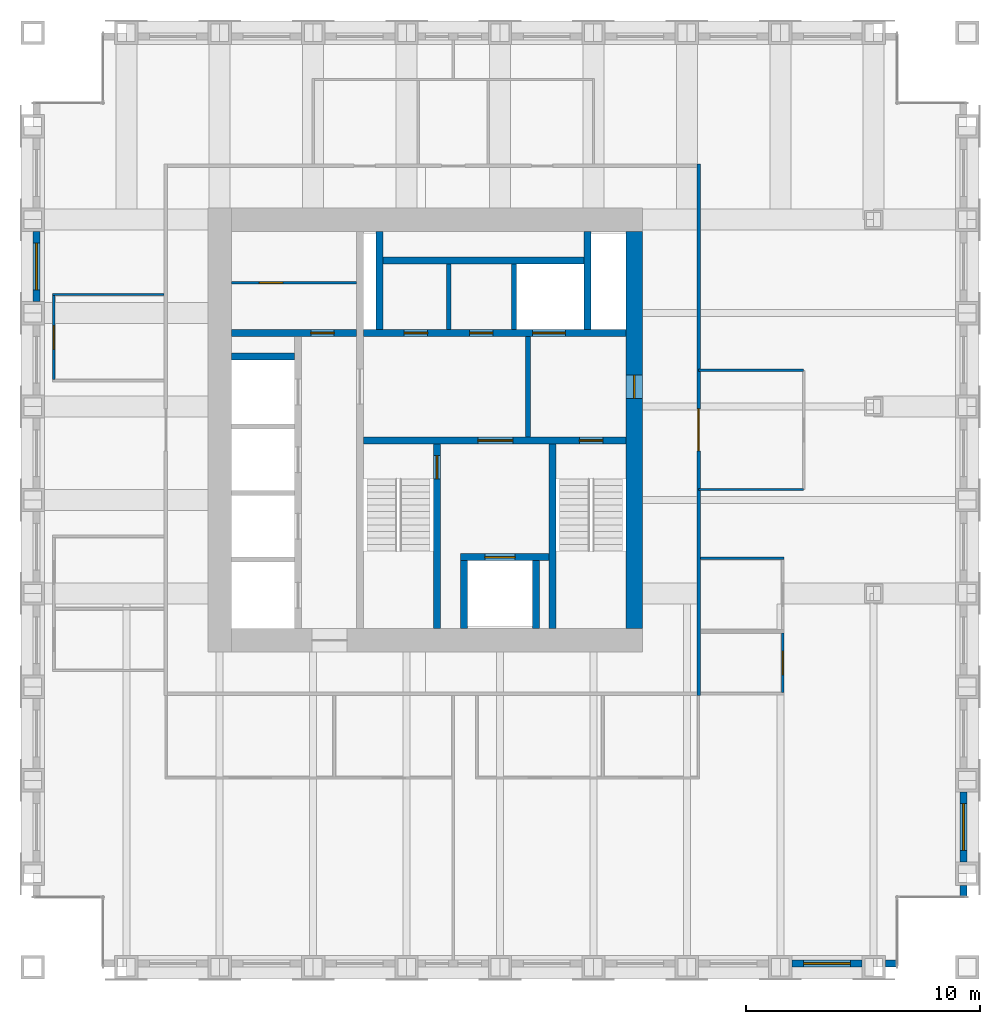
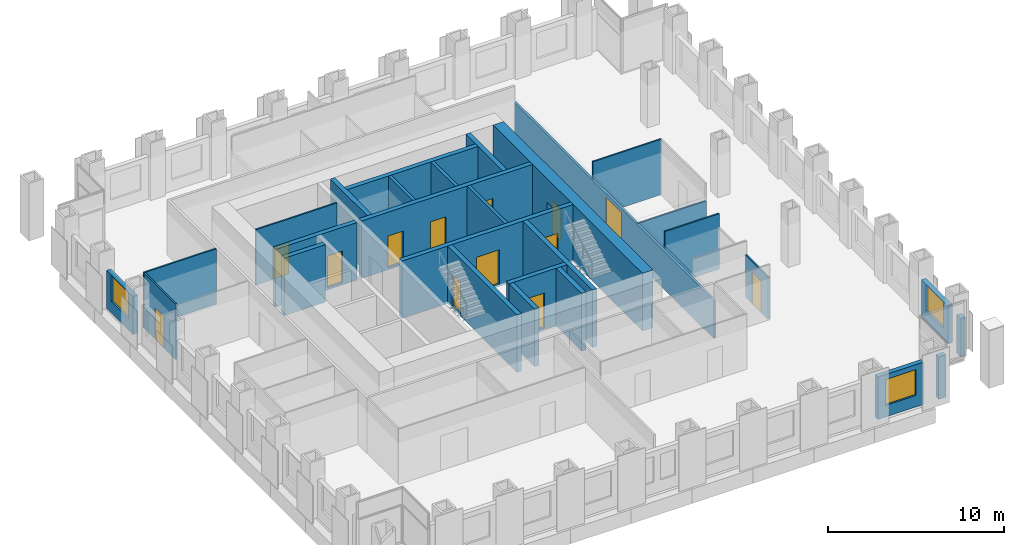
# One storey, part 9 of 12: 29 walls, 13 doors, 3 windows, 16 openings.
"""IFC4 building model written with IfcOpenShell, lengths in metres."""

from ifc_helpers import new_model, si_unit, direction, frame, frame_2d, origin, place, context, subcontext, project, spatial, rectangle, extrude, material, layer, layer_set, type_object, element, fill, save


model = new_model("IFC4")

# Units and contexts
model_context = context("Model", 3, precision=1e-05, world=origin(), true_north=direction((0.0, 1.0)))
body_context = subcontext(model_context, "Body", "Model", "MODEL_VIEW")
ifc_project = project(units=[si_unit("LENGTHUNIT", "METRE"), si_unit("AREAUNIT", "SQUARE_METRE"), si_unit("VOLUMEUNIT", "CUBIC_METRE"), si_unit("PLANEANGLEUNIT", "RADIAN"), si_unit("MASSUNIT", "GRAM", prefix="KILO")], contexts=[model_context])

# Site, building, storey
site_placement = place(None, origin())
site = spatial("IfcSite", under=ifc_project, at=site_placement, CompositionType="ELEMENT")
building_placement = place(site_placement, origin())
building = spatial("IfcBuilding", under=site, at=building_placement, Name="Rimbunsela Tower", CompositionType="ELEMENT")
storey_placement = place(building_placement, frame((0.0, 0.0, 266.199951171875)))
storey = spatial("IfcBuildingStorey", under=building, at=storey_placement, Name="L64", CompositionType="ELEMENT", Elevation=266.199951171875)

# Wall, openings, doors
ifc_material_1 = material(Name="Concrete fc' 80 MPa", Category="concrete")
ifc_layer_1 = layer(ifc_material_1, 0.300048828125)
ifc_layer_set_1 = layer_set([ifc_layer_1], Name="Core internal wall 300")
wall_type_1 = type_object("IfcWallType", Name="Core internal wall 300", PredefinedType="SHEAR", material=ifc_layer_set_1)
wall_1_placement = place(storey_placement, frame((24.14990234375, 26.550048828125, -0.14990234375), z_axis=(0.0, 0.0, 1.0), x_axis=(1.0, 0.0, 0.0)))
wall_1 = element("IfcWall", 1, at=wall_1_placement, inside=storey, type_object=wall_type_1, Name="Core wall lobby south", PredefinedType="SHEAR", context=body_context, shape_type="SweptSolid", body=[
    extrude(rectangle(XDim=11.25, YDim=0.300048828125, at=frame_2d((5.625, 0.0))), origin(), (0.0, 0.0, 1.0), 4.0),
])
opening_1_placement = place(wall_1_placement, frame((9.25, 0.0, 0.14990234375)))
opening_1 = element("IfcOpeningElement", 2, at=opening_1_placement, cuts=wall_1, Name="Opening D01", PredefinedType="OPENING", context=body_context, shape_type="SweptSolid", body=[
    extrude(rectangle(XDim=1.0, YDim=2.199951171875, at=frame_2d((0.5, 1.10009765625))), frame((0.0, 0.159912109375, 0.0), z_axis=(0.0, -1.0, 0.0), x_axis=(1.0, 0.0, 0.0)), (0.0, 0.0, 1.0), 0.320068359375),
])
opening_2_placement = place(wall_1_placement, frame((4.89990234375, 0.0, 0.14990234375)))
opening_2 = element("IfcOpeningElement", 3, at=opening_2_placement, cuts=wall_1, Name="Opening D03", PredefinedType="OPENING", context=body_context, shape_type="SweptSolid", body=[
    extrude(rectangle(XDim=1.5, YDim=2.39990234375, at=frame_2d((0.75, 1.199951171875))), frame((0.0, 0.159912109375, 0.0), z_axis=(0.0, -1.0, 0.0), x_axis=(1.0, 0.0, 0.0)), (0.0, 0.0, 1.0), 0.320068359375),
])
ifc_material_2 = material(Name="Steel door, fire rated", Category="steel")
door_type_1 = type_object("IfcDoorType", Name="Core lobby door 1500", OperationType="DOUBLE_DOOR_DOUBLE_SWING", PredefinedType="DOOR", material=ifc_material_2)
door_1_placement = place(opening_2_placement, origin())
door_1 = element("IfcDoor", 4, at=door_1_placement, inside=storey, type_object=door_type_1, Name="Firefighting lobby door", OperationType="DOUBLE_DOOR_DOUBLE_SWING", OverallHeight=2.39990234375, OverallWidth=1.5, PredefinedType="DOOR", context=body_context, shape_type="SweptSolid", body=[
    extrude(rectangle(XDim=1.5, YDim=2.39990234375, at=frame_2d((0.75, 1.199951171875))), frame((0.0, 0.02490234375, 0.0), z_axis=(0.0, -1.0, 0.0), x_axis=(1.0, 0.0, 0.0)), (0.0, 0.0, 1.0), 0.050048828125),
])
fill(opening_2, door_1)
ifc_material_3 = material(Name="Steel door, fire rated", Category="steel")
door_type_2 = type_object("IfcDoorType", Name="Stair door 1000", OperationType="SINGLE_SWING_RIGHT", PredefinedType="DOOR", material=ifc_material_3)
door_2_placement = place(opening_1_placement, frame((1.0, 0.0, 0.0), z_axis=(0.0, 0.0, 1.0), x_axis=(-1.0, 0.0, 0.0)))
door_2 = element("IfcDoor", 5, at=door_2_placement, inside=storey, type_object=door_type_2, Name="Stair B door", OperationType="SINGLE_SWING_RIGHT", OverallHeight=2.199951171875, OverallWidth=1.0, PredefinedType="DOOR", context=body_context, shape_type="SweptSolid", body=[
    extrude(rectangle(XDim=1.0, YDim=2.199951171875, at=frame_2d((0.5, 1.10009765625))), frame((0.0, 0.02490234375, 0.0), z_axis=(0.0, -1.0, 0.0), x_axis=(1.0, 0.0, 0.0)), (0.0, 0.0, 1.0), 0.050048828125),
])
fill(opening_1, door_2)

# Wall, opening, door
wall_2_placement = place(storey_placement, frame((27.300048828125, 18.5, -0.14990234375), z_axis=(0.0, 0.0, 1.0), x_axis=(0.0, 1.0, 0.0)))
wall_2 = element("IfcWall", 6, at=wall_2_placement, inside=storey, type_object=wall_type_1, Name="Stair A enclosure", PredefinedType="SHEAR", context=body_context, shape_type="SweptSolid", body=[
    extrude(rectangle(XDim=7.89990234375, YDim=0.300048828125, at=frame_2d((3.949951171875, 0.0))), origin(), (0.0, 0.0, 1.0), 4.0),
])
opening_3_placement = place(wall_2_placement, frame((6.39990234375, 0.0, 0.14990234375)))
opening_3 = element("IfcOpeningElement", 7, at=opening_3_placement, cuts=wall_2, Name="Opening D01", PredefinedType="OPENING", context=body_context, shape_type="SweptSolid", body=[
    extrude(rectangle(XDim=1.0, YDim=2.199951171875, at=frame_2d((0.5, 1.10009765625))), frame((0.0, 0.159912109375, 0.0), z_axis=(0.0, -1.0, 0.0), x_axis=(1.0, 0.0, 0.0)), (0.0, 0.0, 1.0), 0.320068359375),
])
door_3_placement = place(opening_3_placement, origin())
door_3 = element("IfcDoor", 8, at=door_3_placement, inside=storey, type_object=door_type_2, Name="Stair A door", OperationType="SINGLE_SWING_RIGHT", OverallHeight=2.199951171875, OverallWidth=1.0, PredefinedType="DOOR", context=body_context, shape_type="SweptSolid", body=[
    extrude(rectangle(XDim=1.0, YDim=2.199951171875, at=frame_2d((0.5, 1.10009765625))), frame((0.0, 0.02490234375, 0.0), z_axis=(0.0, -1.0, 0.0), x_axis=(1.0, 0.0, 0.0)), (0.0, 0.0, 1.0), 0.050048828125),
])
fill(opening_3, door_3)

# Walls
wall_3_placement = place(storey_placement, frame((32.25, 18.5, -0.14990234375), z_axis=(0.0, 0.0, 1.0), x_axis=(0.0, 1.0, 0.0)))
element("IfcWall", 9, at=wall_3_placement, inside=storey, type_object=wall_type_1, Name="Stair B enclosure", PredefinedType="SHEAR", context=body_context, shape_type="SweptSolid", body=[
    extrude(rectangle(XDim=7.89990234375, YDim=0.300048828125, at=frame_2d((3.949951171875, 0.0))), origin(), (0.0, 0.0, 1.0), 4.0),
])
for number, where, z_axis, x_axis, name in (
    (10, (28.449951171875, 18.5, -0.14990234375), (0.0, 0.0, 1.0), (0.0, 1.0, 0.0), "Firefighting lift shaft west"),
    (11, (31.550048828125, 18.5, -0.14990234375), (0.0, 0.0, 1.0), (0.0, 1.0, 0.0), "Firefighting lift shaft east"),
):
    element("IfcWall", number, at=place(storey_placement, frame(where, z_axis=z_axis, x_axis=x_axis)), inside=storey, type_object=wall_type_1, Name=name, PredefinedType="SHEAR", context=body_context, shape_type="SweptSolid", body=[
        extrude(rectangle(XDim=2.89990234375, YDim=0.300048828125, at=frame_2d((1.449951171875, 0.0))), origin(), (0.0, 0.0, 1.0), 4.0),
    ])

# Wall, opening, door
wall_4_placement = place(storey_placement, frame((28.300048828125, 21.550048828125, -0.14990234375), z_axis=(0.0, 0.0, 1.0), x_axis=(1.0, 0.0, 0.0)))
wall_4 = element("IfcWall", 12, at=wall_4_placement, inside=storey, type_object=wall_type_1, Name="Firefighting lift shaft front", PredefinedType="SHEAR", context=body_context, shape_type="SweptSolid", body=[
    extrude(rectangle(XDim=3.800048828125, YDim=0.300048828125, at=frame_2d((1.89990234375, 0.0))), origin(), (0.0, 0.0, 1.0), 4.0),
])
opening_4_placement = place(wall_4_placement, frame((1.050048828125, 0.0, 0.14990234375)))
opening_4 = element("IfcOpeningElement", 13, at=opening_4_placement, cuts=wall_4, Name="Opening LD2", PredefinedType="OPENING", context=body_context, shape_type="SweptSolid", body=[
    extrude(rectangle(XDim=1.300048828125, YDim=2.39990234375, at=frame_2d((0.64990234375, 1.199951171875))), frame((0.0, 0.159912109375, 0.0), z_axis=(0.0, -1.0, 0.0), x_axis=(1.0, 0.0, 0.0)), (0.0, 0.0, 1.0), 0.320068359375),
])
ifc_material_4 = material(Name="Steel door, fire rated", Category="steel")
door_type_3 = type_object("IfcDoorType", Name="Lift landing door 1300", OperationType="DOUBLE_DOOR_SLIDING", PredefinedType="DOOR", material=ifc_material_4)
door_4_placement = place(opening_4_placement, origin())
door_4 = element("IfcDoor", 14, at=door_4_placement, inside=storey, type_object=door_type_3, Name="Lift landing door FL1", OperationType="DOUBLE_DOOR_SLIDING", OverallHeight=2.39990234375, OverallWidth=1.300048828125, PredefinedType="DOOR", context=body_context, shape_type="SweptSolid", body=[
    extrude(rectangle(XDim=1.300048828125, YDim=2.39990234375, at=frame_2d((0.64990234375, 1.199951171875))), frame((0.0, 0.02490234375, 0.0), z_axis=(0.0, -1.0, 0.0), x_axis=(1.0, 0.0, 0.0)), (0.0, 0.0, 1.0), 0.050048828125),
])
fill(opening_4, door_4)

# Wall, openings, doors
wall_5_placement = place(storey_placement, frame((24.14990234375, 31.14990234375, -0.14990234375), z_axis=(0.0, 0.0, 1.0), x_axis=(1.0, 0.0, 0.0)))
wall_5 = element("IfcWall", 15, at=wall_5_placement, inside=storey, type_object=wall_type_1, Name="Lift shaft front north", PredefinedType="SHEAR", context=body_context, shape_type="SweptSolid", body=[
    extrude(rectangle(XDim=11.25, YDim=0.300048828125, at=frame_2d((5.625, 0.0))), origin(), (0.0, 0.0, 1.0), 4.0),
])
opening_5_placement = place(wall_5_placement, frame((1.75, 0.0, 0.14990234375)))
opening_5 = element("IfcOpeningElement", 16, at=opening_5_placement, cuts=wall_5, Name="Opening D19", PredefinedType="OPENING", context=body_context, shape_type="SweptSolid", body=[
    extrude(rectangle(XDim=1.0, YDim=2.199951171875, at=frame_2d((0.5, 1.10009765625))), frame((0.0, 0.159912109375, 0.0), z_axis=(0.0, -1.0, 0.0), x_axis=(1.0, 0.0, 0.0)), (0.0, 0.0, 1.0), 0.320068359375),
])
opening_6_placement = place(wall_5_placement, frame((4.550048828125, 0.0, 0.14990234375)))
opening_6 = element("IfcOpeningElement", 17, at=opening_6_placement, cuts=wall_5, Name="Opening D19", PredefinedType="OPENING", context=body_context, shape_type="SweptSolid", body=[
    extrude(rectangle(XDim=1.0, YDim=2.199951171875, at=frame_2d((0.5, 1.10009765625))), frame((0.0, 0.159912109375, 0.0), z_axis=(0.0, -1.0, 0.0), x_axis=(1.0, 0.0, 0.0)), (0.0, 0.0, 1.0), 0.320068359375),
])
opening_7_placement = place(wall_5_placement, frame((7.25, 0.0, 0.14990234375)))
opening_7 = element("IfcOpeningElement", 18, at=opening_7_placement, cuts=wall_5, Name="Opening LD3", PredefinedType="OPENING", context=body_context, shape_type="SweptSolid", body=[
    extrude(rectangle(XDim=1.39990234375, YDim=2.39990234375, at=frame_2d((0.699951171875, 1.199951171875))), frame((0.0, 0.159912109375, 0.0), z_axis=(0.0, -1.0, 0.0), x_axis=(1.0, 0.0, 0.0)), (0.0, 0.0, 1.0), 0.320068359375),
])
ifc_material_5 = material(Name="Steel door, fire rated", Category="steel")
door_type_4 = type_object("IfcDoorType", Name="Lift landing door 1400", OperationType="DOUBLE_DOOR_SLIDING", PredefinedType="DOOR", material=ifc_material_5)
door_5_placement = place(opening_7_placement, origin())
door_5 = element("IfcDoor", 19, at=door_5_placement, inside=storey, type_object=door_type_4, Name="Lift landing door FL2", OperationType="DOUBLE_DOOR_SLIDING", OverallHeight=2.39990234375, OverallWidth=1.39990234375, PredefinedType="DOOR", context=body_context, shape_type="SweptSolid", body=[
    extrude(rectangle(XDim=1.39990234375, YDim=2.39990234375, at=frame_2d((0.699951171875, 1.199951171875))), frame((0.0, 0.02490234375, 0.0), z_axis=(0.0, -1.0, 0.0), x_axis=(1.0, 0.0, 0.0)), (0.0, 0.0, 1.0), 0.050048828125),
])
fill(opening_7, door_5)
ifc_material_6 = material(Name="Steel door, fire rated", Category="steel")
door_type_5 = type_object("IfcDoorType", Name="Service door 1000 fire rated", OperationType="SINGLE_SWING_LEFT", PredefinedType="DOOR", material=ifc_material_6)
door_6_placement = place(opening_5_placement, origin())
door_6 = element("IfcDoor", 20, at=door_6_placement, inside=storey, type_object=door_type_5, Name="IT room door", OperationType="SINGLE_SWING_LEFT", OverallHeight=2.199951171875, OverallWidth=1.0, PredefinedType="DOOR", context=body_context, shape_type="SweptSolid", body=[
    extrude(rectangle(XDim=1.0, YDim=2.199951171875, at=frame_2d((0.5, 1.10009765625))), frame((0.0, 0.02490234375, 0.0), z_axis=(0.0, -1.0, 0.0), x_axis=(1.0, 0.0, 0.0)), (0.0, 0.0, 1.0), 0.050048828125),
])
fill(opening_5, door_6)
door_7_placement = place(opening_6_placement, origin())
door_7 = element("IfcDoor", 21, at=door_7_placement, inside=storey, type_object=door_type_5, Name="Tenant store door", OperationType="SINGLE_SWING_LEFT", OverallHeight=2.199951171875, OverallWidth=1.0, PredefinedType="DOOR", context=body_context, shape_type="SweptSolid", body=[
    extrude(rectangle(XDim=1.0, YDim=2.199951171875, at=frame_2d((0.5, 1.10009765625))), frame((0.0, 0.02490234375, 0.0), z_axis=(0.0, -1.0, 0.0), x_axis=(1.0, 0.0, 0.0)), (0.0, 0.0, 1.0), 0.050048828125),
])
fill(opening_6, door_7)

# Wall, opening, door
wall_6_placement = place(storey_placement, frame((18.5, 31.14990234375, -0.14990234375), z_axis=(0.0, 0.0, 1.0), x_axis=(1.0, 0.0, 0.0)))
wall_6 = element("IfcWall", 22, at=wall_6_placement, inside=storey, type_object=wall_type_1, Name="Store wall", PredefinedType="SHEAR", context=body_context, shape_type="SweptSolid", body=[
    extrude(rectangle(XDim=5.35009765625, YDim=0.300048828125, at=frame_2d((2.675048828125, 0.0))), origin(), (0.0, 0.0, 1.0), 4.0),
])
opening_8_placement = place(wall_6_placement, frame((3.39990234375, 0.0, 0.14990234375)))
opening_8 = element("IfcOpeningElement", 23, at=opening_8_placement, cuts=wall_6, Name="Opening D19", PredefinedType="OPENING", context=body_context, shape_type="SweptSolid", body=[
    extrude(rectangle(XDim=1.0, YDim=2.199951171875, at=frame_2d((0.5, 1.10009765625))), frame((0.0, 0.159912109375, 0.0), z_axis=(0.0, -1.0, 0.0), x_axis=(1.0, 0.0, 0.0)), (0.0, 0.0, 1.0), 0.320068359375),
])
door_8_placement = place(opening_8_placement, origin())
door_8 = element("IfcDoor", 24, at=door_8_placement, inside=storey, type_object=door_type_5, Name="Cleaners store door", OperationType="SINGLE_SWING_LEFT", OverallHeight=2.199951171875, OverallWidth=1.0, PredefinedType="DOOR", context=body_context, shape_type="SweptSolid", body=[
    extrude(rectangle(XDim=1.0, YDim=2.199951171875, at=frame_2d((0.5, 1.10009765625))), frame((0.0, 0.02490234375, 0.0), z_axis=(0.0, -1.0, 0.0), x_axis=(1.0, 0.0, 0.0)), (0.0, 0.0, 1.0), 0.050048828125),
])
fill(opening_8, door_8)

# Walls
wall_7_placement = place(storey_placement, frame((18.5, 30.14990234375, -0.14990234375), z_axis=(0.0, 0.0, 1.0), x_axis=(1.0, 0.0, 0.0)))
element("IfcWall", 25, at=wall_7_placement, inside=storey, type_object=wall_type_1, Name="Lift shaft rear west", PredefinedType="SHEAR", context=body_context, shape_type="SweptSolid", body=[
    extrude(rectangle(XDim=2.699951171875, YDim=0.300048828125, at=frame_2d((1.35009765625, 0.0))), origin(), (0.0, 0.0, 1.0), 4.0),
])
for number, where, z_axis, x_axis, name in (
    (26, (24.85009765625, 31.300048828125, -0.14990234375), (0.0, 0.0, 1.0), (0.0, 1.0, 0.0), "Riser wall"),
    (27, (33.75, 31.300048828125, -0.14990234375), (0.0, 0.0, 1.0), (0.0, 1.0, 0.0), "Riser wall"),
):
    element("IfcWall", number, at=place(storey_placement, frame(where, z_axis=z_axis, x_axis=x_axis)), inside=storey, type_object=wall_type_1, Name=name, PredefinedType="SHEAR", context=body_context, shape_type="SweptSolid", body=[
        extrude(rectangle(XDim=4.199951171875, YDim=0.300048828125, at=frame_2d((2.10009765625, 0.0))), origin(), (0.0, 0.0, 1.0), 4.0),
    ])
wall_8_placement = place(storey_placement, frame((25.0, 34.25, -0.14990234375), z_axis=(0.0, 0.0, 1.0), x_axis=(1.0, 0.0, 0.0)))
element("IfcWall", 28, at=wall_8_placement, inside=storey, type_object=wall_type_1, Name="Lift shaft rear north", PredefinedType="SHEAR", context=body_context, shape_type="SweptSolid", body=[
    extrude(rectangle(XDim=8.60009765625, YDim=0.300048828125, at=frame_2d((4.300048828125, 0.0))), origin(), (0.0, 0.0, 1.0), 4.0),
])

# Wall, opening, door
ifc_material_7 = material(Name="Concrete blockwork", Category="masonry")
ifc_layer_2 = layer(ifc_material_7, 0.10009765625)
ifc_layer_set_2 = layer_set([ifc_layer_2], Name="Core room partition 100")
wall_type_2 = type_object("IfcWallType", Name="Core room partition 100", PredefinedType="PARTITIONING", material=ifc_layer_set_2)
wall_9_placement = place(storey_placement, frame((18.5, 33.300048828125, 0.0), z_axis=(0.0, 0.0, 1.0), x_axis=(1.0, 0.0, 0.0)))
wall_9 = element("IfcWall", 29, at=wall_9_placement, inside=storey, type_object=wall_type_2, Name="Housekeeping store wall", PredefinedType="PARTITIONING", context=body_context, shape_type="SweptSolid", body=[
    extrude(rectangle(XDim=5.35009765625, YDim=0.10009765625, at=frame_2d((2.675048828125, 0.0))), origin(), (0.0, 0.0, 1.0), 3.85009765625),
])
opening_9_placement = place(wall_9_placement, frame((1.199951171875, 0.0, 0.0)))
opening_9 = element("IfcOpeningElement", 30, at=opening_9_placement, cuts=wall_9, Name="Opening D19", PredefinedType="OPENING", context=body_context, shape_type="SweptSolid", body=[
    extrude(rectangle(XDim=1.0, YDim=2.199951171875, at=frame_2d((0.5, 1.10009765625))), frame((0.0, 0.06005859375, 0.0), z_axis=(0.0, -1.0, 0.0), x_axis=(1.0, 0.0, 0.0)), (0.0, 0.0, 1.0), 0.1201171875),
])
door_9_placement = place(opening_9_placement, origin())
door_9 = element("IfcDoor", 31, at=door_9_placement, inside=storey, type_object=door_type_5, Name="Housekeeping store door", OperationType="SINGLE_SWING_LEFT", OverallHeight=2.199951171875, OverallWidth=1.0, PredefinedType="DOOR", context=body_context, shape_type="SweptSolid", body=[
    extrude(rectangle(XDim=1.0, YDim=2.199951171875, at=frame_2d((0.5, 1.10009765625))), frame((0.0, 0.02490234375, 0.0), z_axis=(0.0, -1.0, 0.0), x_axis=(1.0, 0.0, 0.0)), (0.0, 0.0, 1.0), 0.050048828125),
])
fill(opening_9, door_9)

ifc_material_8 = material(Name="Concrete fc' 80 MPa", Category="concrete")
ifc_layer_3 = layer(ifc_material_8, 0.699951171875)
ifc_layer_set_3 = layer_set([ifc_layer_3], Name="Core wall 700 east")
wall_type_3 = type_object("IfcWallType", Name="Core wall 700 east", PredefinedType="SHEAR", material=ifc_layer_set_3)
wall_10_placement = place(storey_placement, frame((35.75, 18.5, -0.14990234375), z_axis=(0.0, 0.0, 1.0), x_axis=(0.0, 1.0, 0.0)))
wall_10 = element("IfcWall", 32, at=wall_10_placement, inside=storey, type_object=wall_type_3, Name="Core wall east", PredefinedType="SHEAR", context=body_context, shape_type="SweptSolid", body=[
    extrude(rectangle(XDim=17.0, YDim=0.699951171875, at=frame_2d((8.5, 0.0))), origin(), (0.0, 0.0, 1.0), 4.0),
])
opening_10_placement = place(wall_10_placement, frame((9.85009765625, 0.0, 0.14990234375)))
opening_10 = element("IfcOpeningElement", 33, at=opening_10_placement, cuts=wall_10, Name="Opening D01", PredefinedType="OPENING", context=body_context, shape_type="SweptSolid", body=[
    extrude(rectangle(XDim=1.0, YDim=2.199951171875, at=frame_2d((0.5, 1.10009765625))), frame((0.0, 0.35986328125, 0.0), z_axis=(0.0, -1.0, 0.0), x_axis=(1.0, 0.0, 0.0)), (0.0, 0.0, 1.0), 0.719970703125),
])
door_10_placement = place(opening_10_placement, origin())
door_10 = element("IfcDoor", 34, at=door_10_placement, inside=storey, type_object=door_type_2, Name="Firefighting lobby 2 door", OperationType="SINGLE_SWING_RIGHT", OverallHeight=2.199951171875, OverallWidth=1.0, PredefinedType="DOOR", context=body_context, shape_type="SweptSolid", body=[
    extrude(rectangle(XDim=1.0, YDim=2.199951171875, at=frame_2d((0.5, 1.10009765625))), frame((0.0, 0.02490234375, 0.0), z_axis=(0.0, -1.0, 0.0), x_axis=(1.0, 0.0, 0.0)), (0.0, 0.0, 1.0), 0.050048828125),
])
fill(opening_10, door_10)

# Walls
ifc_material_9 = material(Name="Concrete blockwork", Category="masonry")
ifc_layer_4 = layer(ifc_material_9, 0.199951171875)
ifc_layer_set_4 = layer_set([ifc_layer_4], Name="Lift shaft wall 200")
wall_type_4 = type_object("IfcWallType", Name="Lift shaft wall 200", PredefinedType="SOLIDWALL", material=ifc_layer_set_4)
wall_11_placement = place(storey_placement, frame((27.800048828125, 31.300048828125, 0.0), z_axis=(0.0, 0.0, 1.0), x_axis=(0.0, 1.0, 0.0)))
element("IfcWall", 35, at=wall_11_placement, inside=storey, type_object=wall_type_4, Name="Lift shaft separation", PredefinedType="SOLIDWALL", context=body_context, shape_type="SweptSolid", body=[
    extrude(rectangle(XDim=2.800048828125, YDim=0.199951171875, at=frame_2d((1.39990234375, 0.0))), origin(), (0.0, 0.0, 1.0), 3.85009765625),
])
wall_12_placement = place(storey_placement, frame((30.60009765625, 31.300048828125, -0.14990234375), z_axis=(0.0, 0.0, 1.0), x_axis=(0.0, 1.0, 0.0)))
element("IfcWall", 36, at=wall_12_placement, inside=storey, type_object=wall_type_4, Name="Lift shaft separation", PredefinedType="SOLIDWALL", context=body_context, shape_type="SweptSolid", body=[
    extrude(rectangle(XDim=2.800048828125, YDim=0.199951171875, at=frame_2d((1.39990234375, 0.0))), origin(), (0.0, 0.0, 1.0), 4.0),
])
wall_13_placement = place(storey_placement, frame((31.199951171875, 26.699951171875, 0.0), z_axis=(0.0, 0.0, 1.0), x_axis=(0.0, 1.0, 0.0)))
element("IfcWall", 37, at=wall_13_placement, inside=storey, type_object=wall_type_4, Name="Firefighting lobby 2 wall", PredefinedType="SOLIDWALL", context=body_context, shape_type="SweptSolid", body=[
    extrude(rectangle(XDim=4.300048828125, YDim=0.199951171875, at=frame_2d((2.14990234375, 0.0))), origin(), (0.0, 0.0, 1.0), 3.85009765625),
])
ifc_material_10 = material(Name="Gypsum board on steel studs", Category="steel")
ifc_layer_5 = layer(ifc_material_10, 0.10009765625)
ifc_layer_set_5 = layer_set([ifc_layer_5], Name="Office partition 100")
wall_type_5 = type_object("IfcWallType", Name="Office partition 100", PredefinedType="PARTITIONING", material=ifc_layer_set_5)
wall_14_placement = place(storey_placement, frame((38.574951171875, 21.5, 0.0), z_axis=(0.0, 0.0, 1.0), x_axis=(1.0, 0.0, 0.0)))
element("IfcWall", 38, at=wall_14_placement, inside=storey, type_object=wall_type_5, Name="Office partition", PredefinedType="PARTITIONING", context=body_context, shape_type="SweptSolid", body=[
    extrude(rectangle(XDim=3.574951171875, YDim=0.10009765625, at=frame_2d((1.78759765625, 0.0))), origin(), (0.0, 0.0, 1.0), 3.85009765625),
])
wall_15_placement = place(storey_placement, frame((10.85009765625, 32.800048828125, 0.0), z_axis=(0.0, 0.0, 1.0), x_axis=(1.0, 0.0, 0.0)))
element("IfcWall", 39, at=wall_15_placement, inside=storey, type_object=wall_type_5, Name="Office partition", PredefinedType="PARTITIONING", context=body_context, shape_type="SweptSolid", body=[
    extrude(rectangle(XDim=4.77490234375, YDim=0.10009765625, at=frame_2d((2.387451171875, 0.0))), origin(), (0.0, 0.0, 1.0), 3.85009765625),
])

# Wall, opening, door
wall_16_placement = place(storey_placement, frame((10.89990234375, 29.14990234375, 0.0), z_axis=(0.0, 0.0, 1.0), x_axis=(0.0, 1.0, 0.0)))
wall_16 = element("IfcWall", 40, at=wall_16_placement, inside=storey, type_object=wall_type_5, Name="Office partition", PredefinedType="PARTITIONING", context=body_context, shape_type="SweptSolid", body=[
    extrude(rectangle(XDim=3.60009765625, YDim=0.10009765625, at=frame_2d((1.800048828125, 0.0))), origin(), (0.0, 0.0, 1.0), 3.85009765625),
])
opening_11_placement = place(wall_16_placement, frame((1.300048828125, 0.0, 0.0)))
opening_11 = element("IfcOpeningElement", 41, at=opening_11_placement, cuts=wall_16, Name="Opening D17", PredefinedType="OPENING", context=body_context, shape_type="SweptSolid", body=[
    extrude(rectangle(XDim=1.0, YDim=2.199951171875, at=frame_2d((0.5, 1.10009765625))), frame((0.0, 0.06005859375, 0.0), z_axis=(0.0, -1.0, 0.0), x_axis=(1.0, 0.0, 0.0)), (0.0, 0.0, 1.0), 0.1201171875),
])
ifc_material_11 = material(Name="Glazed aluminium door", Category="aluminium")
door_type_6 = type_object("IfcDoorType", Name="Meeting room door 1000 glazed", OperationType="SINGLE_SWING_RIGHT", PredefinedType="DOOR", material=ifc_material_11)
door_11_placement = place(opening_11_placement, frame((1.0, 0.0, 0.0), z_axis=(0.0, 0.0, 1.0), x_axis=(-1.0, 0.0, 0.0)))
door_11 = element("IfcDoor", 42, at=door_11_placement, inside=storey, type_object=door_type_6, Name="Meeting room door", OperationType="SINGLE_SWING_RIGHT", OverallHeight=2.199951171875, OverallWidth=1.0, PredefinedType="DOOR", context=body_context, shape_type="SweptSolid", body=[
    extrude(rectangle(XDim=1.0, YDim=2.199951171875, at=frame_2d((0.5, 1.10009765625))), frame((0.0, 0.02490234375, 0.0), z_axis=(0.0, -1.0, 0.0), x_axis=(1.0, 0.0, 0.0)), (0.0, 0.0, 1.0), 0.050048828125),
])
fill(opening_11, door_11)

wall_17_placement = place(storey_placement, frame((42.10009765625, 15.75, 0.0), z_axis=(0.0, 0.0, 1.0), x_axis=(0.0, 1.0, 0.0)))
wall_17 = element("IfcWall", 43, at=wall_17_placement, inside=storey, type_object=wall_type_5, Name="Office partition", PredefinedType="PARTITIONING", context=body_context, shape_type="SweptSolid", body=[
    extrude(rectangle(XDim=2.550048828125, YDim=0.10009765625, at=frame_2d((1.27490234375, 0.0))), origin(), (0.0, 0.0, 1.0), 2.949951171875),
])
opening_12_placement = place(wall_17_placement, frame((0.77490234375, 0.0, 0.0)))
opening_12 = element("IfcOpeningElement", 44, at=opening_12_placement, cuts=wall_17, Name="Opening D16", PredefinedType="OPENING", context=body_context, shape_type="SweptSolid", body=[
    extrude(rectangle(XDim=1.0, YDim=2.199951171875, at=frame_2d((0.5, 1.10009765625))), frame((0.0, 0.06005859375, 0.0), z_axis=(0.0, -1.0, 0.0), x_axis=(1.0, 0.0, 0.0)), (0.0, 0.0, 1.0), 0.1201171875),
])
ifc_material_12 = material(Name="Timber door", Category="wood")
door_type_7 = type_object("IfcDoorType", Name="Office door 1000", OperationType="SINGLE_SWING_LEFT", PredefinedType="DOOR", material=ifc_material_12)
door_12_placement = place(opening_12_placement, origin())
door_12 = element("IfcDoor", 45, at=door_12_placement, inside=storey, type_object=door_type_7, Name="Office door", OperationType="SINGLE_SWING_LEFT", OverallHeight=2.199951171875, OverallWidth=1.0, PredefinedType="DOOR", context=body_context, shape_type="SweptSolid", body=[
    extrude(rectangle(XDim=1.0, YDim=2.199951171875, at=frame_2d((0.5, 1.10009765625))), frame((0.0, 0.02490234375, 0.0), z_axis=(0.0, -1.0, 0.0), x_axis=(1.0, 0.0, 0.0)), (0.0, 0.0, 1.0), 0.050048828125),
])
fill(opening_12, door_12)

# Walls
wall_18_placement = place(storey_placement, frame((38.5, 24.449951171875, 0.0), z_axis=(0.0, 0.0, 1.0), x_axis=(1.0, 0.0, 0.0)))
element("IfcWall", 46, at=wall_18_placement, inside=storey, type_object=wall_type_5, Name="Office partition", PredefinedType="PARTITIONING", context=body_context, shape_type="SweptSolid", body=[
    extrude(rectangle(XDim=4.5, YDim=0.10009765625, at=frame_2d((2.25, 0.0))), origin(), (0.0, 0.0, 1.0), 2.650146484375),
])
wall_19_placement = place(storey_placement, frame((43.0, 29.550048828125, 0.0), z_axis=(0.0, 0.0, 1.0), x_axis=(-1.0, 0.0, 0.0)))
element("IfcWall", 47, at=wall_19_placement, inside=storey, type_object=wall_type_5, Name="Office partition", PredefinedType="PARTITIONING", context=body_context, shape_type="SweptSolid", body=[
    extrude(rectangle(XDim=4.5, YDim=0.10009765625, at=frame_2d((2.25, 0.0))), origin(), (0.0, 0.0, 1.0), 3.85009765625),
])

# Wall, opening, window
ifc_material_13 = material(Name="Precast concrete fc' 35 MPa", Category="concrete")
ifc_layer_6 = layer(ifc_material_13, 0.300048828125)
ifc_layer_set_6 = layer_set([ifc_layer_6], Name="Precast concrete fc' 35 MPa")
wall_type_6 = type_object("IfcWallType", Name="Precast facade panel 300", PredefinedType="ELEMENTEDWALL", material=ifc_layer_set_6)
wall_20_placement = place(storey_placement, frame((42.5, 4.14990234375, 0.0), z_axis=(0.0, 0.0, 1.0), x_axis=(1.0, 0.0, 0.0)))
wall_20 = element("IfcWall", 48, at=wall_20_placement, inside=storey, type_object=wall_type_6, Name="Facade panel S L64", PredefinedType="ELEMENTEDWALL", context=body_context, shape_type="SweptSolid", body=[
    extrude(rectangle(XDim=3.0, YDim=0.300048828125, at=frame_2d((1.5, 0.0))), origin(), (0.0, 0.0, 1.0), 2.949951171875),
])
opening_13_placement = place(wall_20_placement, frame((0.5, 0.0, 0.800048828125)))
opening_13 = element("IfcOpeningElement", 49, at=opening_13_placement, cuts=wall_20, Name="Opening W7", PredefinedType="OPENING", context=body_context, shape_type="SweptSolid", body=[
    extrude(rectangle(XDim=2.0, YDim=1.800048828125, at=frame_2d((1.0, 0.89990234375))), frame((0.0, 0.159912109375, 0.0), z_axis=(0.0, -1.0, 0.0), x_axis=(1.0, 0.0, 0.0)), (0.0, 0.0, 1.0), 0.320068359375),
])
ifc_material_14 = material(Name="Clear glass in aluminium frame", Category="aluminium")
window_type = type_object("IfcWindowType", Name="Window W7 2000x1800", PartitioningType="DOUBLE_PANEL_VERTICAL", PredefinedType="WINDOW", material=ifc_material_14)
window_1_placement = place(opening_13_placement, origin())
window_1 = element("IfcWindow", 50, at=window_1_placement, inside=storey, type_object=window_type, Name="Window L64", OverallHeight=1.800048828125, OverallWidth=2.0, PartitioningType="SINGLE_PANEL", PredefinedType="WINDOW", context=body_context, shape_type="SweptSolid", body=[
    extrude(rectangle(XDim=2.0, YDim=1.800048828125, at=frame_2d((1.0, 0.89990234375))), frame((0.0, 0.030029296875, 0.0), z_axis=(0.0, -1.0, 0.0), x_axis=(1.0, 0.0, 0.0)), (0.0, 0.0, 1.0), 0.06005859375),
])
fill(opening_13, window_1)

# Walls
wall_21_placement = place(storey_placement, frame((46.5, 4.14990234375, 0.0), z_axis=(0.0, 0.0, 1.0), x_axis=(1.0, 0.0, 0.0)))
element("IfcWall", 51, at=wall_21_placement, inside=storey, type_object=wall_type_6, Name="Facade panel S L64", PredefinedType="ELEMENTEDWALL", context=body_context, shape_type="SweptSolid", body=[
    extrude(rectangle(XDim=0.469970703125, YDim=0.300048828125, at=frame_2d((0.23486328125, 0.0))), origin(), (0.0, 0.0, 1.0), 2.949951171875),
])
wall_22_placement = place(storey_placement, frame((49.85009765625, 7.030029296875, 0.0), z_axis=(0.0, 0.0, 1.0), x_axis=(0.0, 1.0, 0.0)))
element("IfcWall", 52, at=wall_22_placement, inside=storey, type_object=wall_type_6, Name="Facade panel E L64", PredefinedType="ELEMENTEDWALL", context=body_context, shape_type="SweptSolid", body=[
    extrude(rectangle(XDim=0.469970703125, YDim=0.300048828125, at=frame_2d((0.23486328125, 0.0))), origin(), (0.0, 0.0, 1.0), 2.650146484375),
])

# Wall, opening, window
wall_23_placement = place(storey_placement, frame((49.85009765625, 8.5, 0.0), z_axis=(0.0, 0.0, 1.0), x_axis=(0.0, 1.0, 0.0)))
wall_23 = element("IfcWall", 53, at=wall_23_placement, inside=storey, type_object=wall_type_6, Name="Facade panel E L64", PredefinedType="ELEMENTEDWALL", context=body_context, shape_type="SweptSolid", body=[
    extrude(rectangle(XDim=3.0, YDim=0.300048828125, at=frame_2d((1.5, 0.0))), origin(), (0.0, 0.0, 1.0), 2.650146484375),
])
opening_14_placement = place(wall_23_placement, frame((0.5, 0.0, 0.800048828125)))
opening_14 = element("IfcOpeningElement", 54, at=opening_14_placement, cuts=wall_23, Name="Opening W7", PredefinedType="OPENING", context=body_context, shape_type="SweptSolid", body=[
    extrude(rectangle(XDim=2.0, YDim=1.800048828125, at=frame_2d((1.0, 0.89990234375))), frame((0.0, 0.159912109375, 0.0), z_axis=(0.0, -1.0, 0.0), x_axis=(1.0, 0.0, 0.0)), (0.0, 0.0, 1.0), 0.320068359375),
])
window_2_placement = place(opening_14_placement, origin())
window_2 = element("IfcWindow", 55, at=window_2_placement, inside=storey, type_object=window_type, Name="Window L64", OverallHeight=1.800048828125, OverallWidth=2.0, PartitioningType="SINGLE_PANEL", PredefinedType="WINDOW", context=body_context, shape_type="SweptSolid", body=[
    extrude(rectangle(XDim=2.0, YDim=1.800048828125, at=frame_2d((1.0, 0.89990234375))), frame((0.0, 0.030029296875, 0.0), z_axis=(0.0, -1.0, 0.0), x_axis=(1.0, 0.0, 0.0)), (0.0, 0.0, 1.0), 0.06005859375),
])
fill(opening_14, window_2)

wall_24_placement = place(storey_placement, frame((10.14990234375, 35.5, 0.0), z_axis=(0.0, 0.0, 1.0), x_axis=(0.0, -1.0, 0.0)))
wall_24 = element("IfcWall", 56, at=wall_24_placement, inside=storey, type_object=wall_type_6, Name="Facade panel W L64", PredefinedType="ELEMENTEDWALL", context=body_context, shape_type="SweptSolid", body=[
    extrude(rectangle(XDim=3.0, YDim=0.300048828125, at=frame_2d((1.5, 0.0))), origin(), (0.0, 0.0, 1.0), 2.650146484375),
])
opening_15_placement = place(wall_24_placement, frame((0.5, 0.0, 0.800048828125)))
opening_15 = element("IfcOpeningElement", 57, at=opening_15_placement, cuts=wall_24, Name="Opening W7", PredefinedType="OPENING", context=body_context, shape_type="SweptSolid", body=[
    extrude(rectangle(XDim=2.0, YDim=1.800048828125, at=frame_2d((1.0, 0.89990234375))), frame((0.0, 0.159912109375, 0.0), z_axis=(0.0, -1.0, 0.0), x_axis=(1.0, 0.0, 0.0)), (0.0, 0.0, 1.0), 0.320068359375),
])
window_3_placement = place(opening_15_placement, origin())
window_3 = element("IfcWindow", 58, at=window_3_placement, inside=storey, type_object=window_type, Name="Window L64", OverallHeight=1.800048828125, OverallWidth=2.0, PartitioningType="SINGLE_PANEL", PredefinedType="WINDOW", context=body_context, shape_type="SweptSolid", body=[
    extrude(rectangle(XDim=2.0, YDim=1.800048828125, at=frame_2d((1.0, 0.89990234375))), frame((0.0, 0.030029296875, 0.0), z_axis=(0.0, -1.0, 0.0), x_axis=(1.0, 0.0, 0.0)), (0.0, 0.0, 1.0), 0.06005859375),
])
fill(opening_15, window_3)

# Wall, opening, door
ifc_material_15 = material(Name="Fire-rated gypsum board on steel studs, EI 60", Category="steel")
ifc_layer_7 = layer(ifc_material_15, 0.14990234375)
ifc_layer_set_7 = layer_set([ifc_layer_7], Name="Rated corridor wall 150")
wall_type_7 = type_object("IfcWallType", Name="Rated corridor wall 150", PredefinedType="PARTITIONING", material=ifc_layer_set_7)
wall_25_placement = place(storey_placement, frame((38.5, 15.625, 0.0), z_axis=(0.0, 0.0, 1.0), x_axis=(0.0, 1.0, 0.0)))
wall_25 = element("IfcWall", 59, at=wall_25_placement, inside=storey, type_object=wall_type_7, Name="Corridor wall east", PredefinedType="PARTITIONING", context=body_context, shape_type="SweptSolid", body=[
    extrude(rectangle(XDim=22.75, YDim=0.14990234375, at=frame_2d((11.375, 0.0))), origin(), (0.0, 0.0, 1.0), 2.650146484375),
])
opening_16_placement = place(wall_25_placement, frame((10.47509765625, 0.0, 0.0)))
opening_16 = element("IfcOpeningElement", 60, at=opening_16_placement, cuts=wall_25, Name="Opening D09", PredefinedType="OPENING", context=body_context, shape_type="SweptSolid", body=[
    extrude(rectangle(XDim=1.800048828125, YDim=2.39990234375, at=frame_2d((0.89990234375, 1.199951171875))), frame((0.0, 0.0849609375, 0.0), z_axis=(0.0, -1.0, 0.0), x_axis=(1.0, 0.0, 0.0)), (0.0, 0.0, 1.0), 0.169921875),
])
ifc_material_16 = material(Name="Glazed aluminium door, fire rated", Category="aluminium")
door_type_8 = type_object("IfcDoorType", Name="Tenancy door 1800 glazed", OperationType="DOUBLE_DOOR_DOUBLE_SWING", PredefinedType="DOOR", material=ifc_material_16)
door_13_placement = place(opening_16_placement, origin())
door_13 = element("IfcDoor", 61, at=door_13_placement, inside=storey, type_object=door_type_8, Name="Tenancy door", OperationType="DOUBLE_DOOR_DOUBLE_SWING", OverallHeight=2.39990234375, OverallWidth=1.800048828125, PredefinedType="DOOR", context=body_context, shape_type="SweptSolid", body=[
    extrude(rectangle(XDim=1.800048828125, YDim=2.39990234375, at=frame_2d((0.89990234375, 1.199951171875))), frame((0.0, 0.02490234375, 0.0), z_axis=(0.0, -1.0, 0.0), x_axis=(1.0, 0.0, 0.0)), (0.0, 0.0, 1.0), 0.050048828125),
])
fill(opening_16, door_13)

save(model, "model.ifc")
